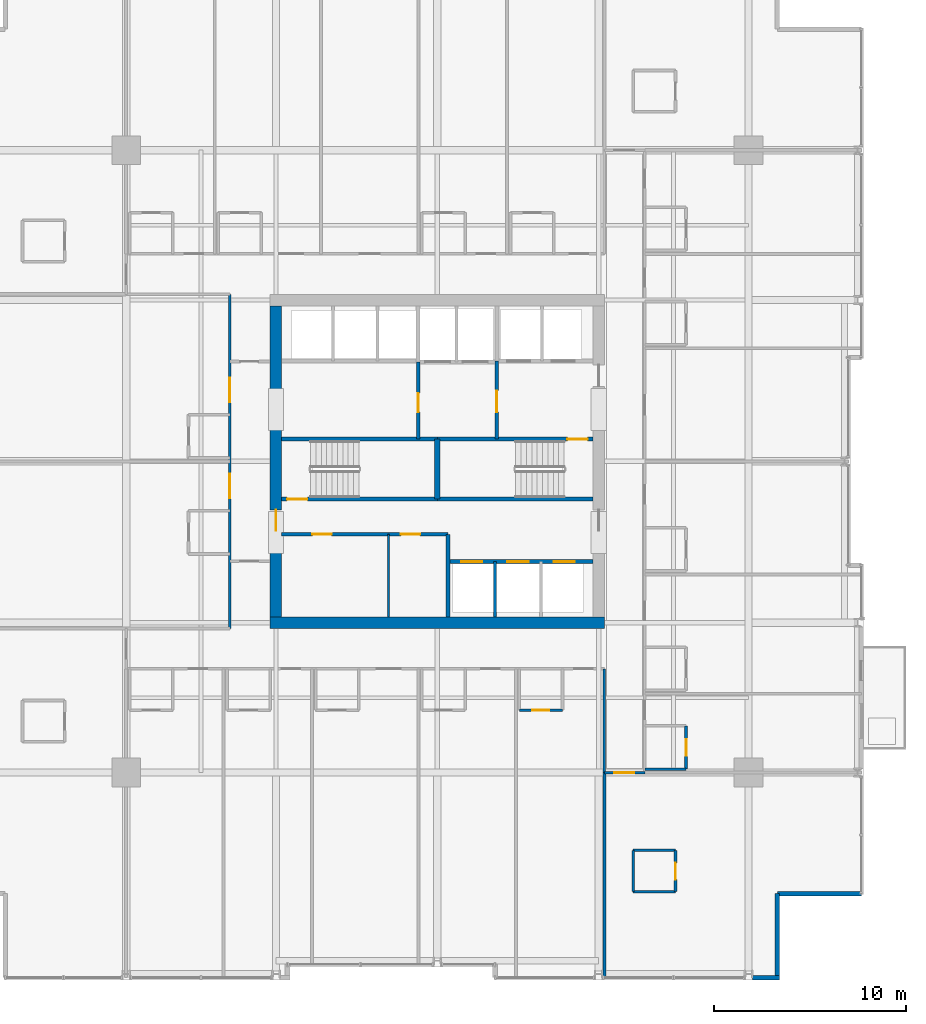
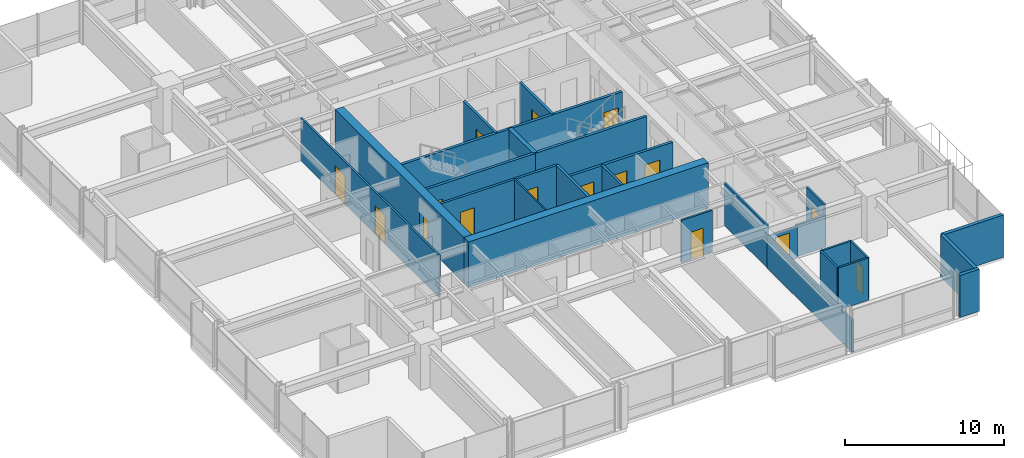
# One storey, part 29 of 34: 28 walls, 16 doors, 16 openings.
"""IFC4 building model written with IfcOpenShell, lengths in metres."""

from ifc_helpers import new_model, si_unit, direction, frame, frame_2d, origin, place, context, subcontext, project, spatial, rectangle, extrude, material, layer, layer_set, type_object, element, fill, save


model = new_model("IFC4")

# Units and contexts
model_context = context("Model", 3, precision=1e-05, world=origin(), true_north=direction((0.0, 1.0)))
body_context = subcontext(model_context, "Body", "Model", "MODEL_VIEW")
ifc_project = project(units=[si_unit("LENGTHUNIT", "METRE"), si_unit("AREAUNIT", "SQUARE_METRE"), si_unit("VOLUMEUNIT", "CUBIC_METRE"), si_unit("PLANEANGLEUNIT", "RADIAN"), si_unit("MASSUNIT", "GRAM", prefix="KILO")], contexts=[model_context])

# Site, building, storey
site_placement = place(None, origin())
site = spatial("IfcSite", under=ifc_project, at=site_placement, CompositionType="ELEMENT")
building_placement = place(site_placement, origin())
building = spatial("IfcBuilding", under=site, at=building_placement, Name="Drelvath Grand Hotel", CompositionType="ELEMENT")
storey_placement = place(building_placement, frame((0.0, 0.0, 91.800048828125)))
storey = spatial("IfcBuildingStorey", under=building, at=storey_placement, Name="L22", CompositionType="ELEMENT", Elevation=91.800048828125)

# Wall
ifc_material_1 = material(Name="Gypsum Partition Board")
ifc_layer_1 = layer(ifc_material_1, 0.10009765625)
ifc_layer_set_1 = layer_set([ifc_layer_1], Name="Gypsum Partition Board")
wall_type_1 = type_object("IfcWallType", Name="Core Closet Partition 100", PredefinedType="PARTITIONING", material=ifc_layer_set_1)
wall_1_placement = place(storey_placement, frame((-2.5400390625, 18.89990234375, 0.0), z_axis=(0.0, 0.0, 1.0), x_axis=(0.0, 1.0, 0.0)))
element("IfcWall", 1, at=wall_1_placement, inside=storey, type_object=wall_type_1, Name="L22 Reclaimed Core Split Wall", PredefinedType="PARTITIONING", context=body_context, shape_type="SweptSolid", body=[
    extrude(rectangle(XDim=4.300048828125, YDim=0.10009765625, at=frame_2d((2.14990234375, 0.0))), origin(), (0.0, 0.0, 1.0), 3.239990234375),
])

# Wall, openings, doors
ifc_material_2 = material(Name="Concrete C40/50", Category="concrete")
ifc_layer_2 = layer(ifc_material_2, 0.199951171875)
ifc_layer_set_2 = layer_set([ifc_layer_2], Name="Concrete C40/50")
wall_type_2 = type_object("IfcWallType", Name="Core Hoistway Fire Wall 200", PredefinedType="SOLIDWALL", material=ifc_layer_set_2)
wall_2_placement = place(storey_placement, frame((8.10009765625, 21.780029296875, 0.0), z_axis=(0.0, 0.0, 1.0), x_axis=(-1.0, 0.0, 0.0)))
wall_2 = element("IfcWall", 2, at=wall_2_placement, inside=storey, type_object=wall_type_2, Name="L22 Bank 2 Hoistway Wall", PredefinedType="SOLIDWALL", context=body_context, shape_type="SweptSolid", body=[
    extrude(rectangle(XDim=7.550048828125, YDim=0.199951171875, at=frame_2d((3.77490234375, 0.0))), origin(), (0.0, 0.0, 1.0), 3.239990234375),
])
opening_1_placement = place(wall_2_placement, frame((5.75, 0.0, 0.0)))
opening_1 = element("IfcOpeningElement", 3, at=opening_1_placement, cuts=wall_2, Name="Opening LD-PE-4", PredefinedType="OPENING", context=body_context, shape_type="SweptSolid", body=[
    extrude(rectangle(XDim=1.10009765625, YDim=2.199951171875, at=frame_2d((0.550048828125, 1.10009765625))), frame((0.0, 0.10986328125, 0.0), z_axis=(0.0, -1.0, 0.0), x_axis=(1.0, 0.0, 0.0)), (0.0, 0.0, 1.0), 0.219970703125),
])
opening_2_placement = place(wall_2_placement, frame((3.35009765625, 0.0, 0.0)))
opening_2 = element("IfcOpeningElement", 4, at=opening_2_placement, cuts=wall_2, Name="Opening LD-PE-5", PredefinedType="OPENING", context=body_context, shape_type="SweptSolid", body=[
    extrude(rectangle(XDim=1.10009765625, YDim=2.199951171875, at=frame_2d((0.550048828125, 1.10009765625))), frame((0.0, 0.10986328125, 0.0), z_axis=(0.0, -1.0, 0.0), x_axis=(1.0, 0.0, 0.0)), (0.0, 0.0, 1.0), 0.219970703125),
])
opening_3_placement = place(wall_2_placement, frame((0.949951171875, 0.0, 0.0)))
opening_3 = element("IfcOpeningElement", 5, at=opening_3_placement, cuts=wall_2, Name="Opening LD-PE-6", PredefinedType="OPENING", context=body_context, shape_type="SweptSolid", body=[
    extrude(rectangle(XDim=1.10009765625, YDim=2.199951171875, at=frame_2d((0.550048828125, 1.10009765625))), frame((0.0, 0.10986328125, 0.0), z_axis=(0.0, -1.0, 0.0), x_axis=(1.0, 0.0, 0.0)), (0.0, 0.0, 1.0), 0.219970703125),
])
ifc_material_3 = material(Name="Stainless Steel S355", Category="steel")
door_type_1 = type_object("IfcDoorType", Name="Passenger Lift Sliding Landing Door 1100x2200", OperationType="NOTDEFINED", PredefinedType="DOOR", material=ifc_material_3)
door_1_placement = place(opening_1_placement, origin())
door_1 = element("IfcDoor", 6, at=door_1_placement, inside=storey, type_object=door_type_1, Name="L22 Lift PE-4 Landing Door", OperationType="SLIDING_TO_LEFT", OverallHeight=2.199951171875, OverallWidth=1.10009765625, PredefinedType="DOOR", context=body_context, shape_type="SweptSolid", body=[
    extrude(rectangle(XDim=1.10009765625, YDim=2.199951171875, at=frame_2d((0.550048828125, 1.10009765625))), frame((0.0, 0.02490234375, 0.0), z_axis=(0.0, -1.0, 0.0), x_axis=(1.0, 0.0, 0.0)), (0.0, 0.0, 1.0), 0.050048828125),
])
fill(opening_1, door_1)
door_2_placement = place(opening_2_placement, origin())
door_2 = element("IfcDoor", 7, at=door_2_placement, inside=storey, type_object=door_type_1, Name="L22 Lift PE-5 Landing Door", OperationType="SLIDING_TO_LEFT", OverallHeight=2.199951171875, OverallWidth=1.10009765625, PredefinedType="DOOR", context=body_context, shape_type="SweptSolid", body=[
    extrude(rectangle(XDim=1.10009765625, YDim=2.199951171875, at=frame_2d((0.550048828125, 1.10009765625))), frame((0.0, 0.02490234375, 0.0), z_axis=(0.0, -1.0, 0.0), x_axis=(1.0, 0.0, 0.0)), (0.0, 0.0, 1.0), 0.050048828125),
])
fill(opening_2, door_2)
door_3_placement = place(opening_3_placement, origin())
door_3 = element("IfcDoor", 8, at=door_3_placement, inside=storey, type_object=door_type_1, Name="L22 Lift PE-6 Landing Door", OperationType="SLIDING_TO_LEFT", OverallHeight=2.199951171875, OverallWidth=1.10009765625, PredefinedType="DOOR", context=body_context, shape_type="SweptSolid", body=[
    extrude(rectangle(XDim=1.10009765625, YDim=2.199951171875, at=frame_2d((0.550048828125, 1.10009765625))), frame((0.0, 0.02490234375, 0.0), z_axis=(0.0, -1.0, 0.0), x_axis=(1.0, 0.0, 0.0)), (0.0, 0.0, 1.0), 0.050048828125),
])
fill(opening_3, door_3)

# Wall
wall_3_placement = place(storey_placement, frame((0.550048828125, 18.89990234375, 0.0), z_axis=(0.0, 0.0, 1.0), x_axis=(0.0, 1.0, 0.0)))
element("IfcWall", 9, at=wall_3_placement, inside=storey, type_object=wall_type_2, Name="L22 Bank 2 West Wall", PredefinedType="SOLIDWALL", context=body_context, shape_type="SweptSolid", body=[
    extrude(rectangle(XDim=4.300048828125, YDim=0.199951171875, at=frame_2d((2.14990234375, 0.0))), origin(), (0.0, 0.0, 1.0), 3.239990234375),
])

# Wall, opening, door
ifc_layer_3 = layer(ifc_material_2, 0.199951171875)
ifc_layer_set_3 = layer_set([ifc_layer_3], Name="Concrete C40/50")
wall_type_3 = type_object("IfcWallType", Name="Core Shaft Fire Wall 200", PredefinedType="SOLIDWALL", material=ifc_layer_set_3)
wall_4_placement = place(storey_placement, frame((-8.10009765625, 25.0400390625, 0.0), z_axis=(0.0, 0.0, 1.0), x_axis=(1.0, 0.0, 0.0)))
wall_4 = element("IfcWall", 10, at=wall_4_placement, inside=storey, type_object=wall_type_3, Name="L22 Stair ST-1 South Wall", PredefinedType="SOLIDWALL", context=body_context, shape_type="SweptSolid", body=[
    extrude(rectangle(XDim=8.10009765625, YDim=0.199951171875, at=frame_2d((4.050048828125, 0.0))), origin(), (0.0, 0.0, 1.0), 3.239990234375),
])
opening_4_placement = place(wall_4_placement, frame((0.280029296875, 0.0, 0.0)))
opening_4 = element("IfcOpeningElement", 11, at=opening_4_placement, cuts=wall_4, Name="Opening D-T2G1-001", PredefinedType="OPENING", context=body_context, shape_type="SweptSolid", body=[
    extrude(rectangle(XDim=1.050048828125, YDim=2.10009765625, at=frame_2d((0.52490234375, 1.050048828125))), frame((0.0, 0.10986328125, 0.0), z_axis=(0.0, -1.0, 0.0), x_axis=(1.0, 0.0, 0.0)), (0.0, 0.0, 1.0), 0.219970703125),
])
ifc_material_4 = material(Name="Painted Steel S275", Category="steel")
door_type_2 = type_object("IfcDoorType", Name="Tower Stairwell Fire Door 1050x2100", OperationType="NOTDEFINED", PredefinedType="DOOR", material=ifc_material_4)
door_4_placement = place(opening_4_placement, origin())
door_4 = element("IfcDoor", 12, at=door_4_placement, inside=storey, type_object=door_type_2, Name="L22 Exit Stair ST-1 Door", OperationType="SINGLE_SWING_LEFT", OverallHeight=2.10009765625, OverallWidth=1.050048828125, PredefinedType="DOOR", context=body_context, shape_type="SweptSolid", body=[
    extrude(rectangle(XDim=1.050048828125, YDim=2.10009765625, at=frame_2d((0.52490234375, 1.050048828125))), frame((0.0, 0.02490234375, 0.0), z_axis=(0.0, -1.0, 0.0), x_axis=(1.0, 0.0, 0.0)), (0.0, 0.0, 1.0), 0.050048828125),
])
fill(opening_4, door_4)

# Walls
for number, where, z_axis, x_axis, name in (
    (13, (-8.10009765625, 28.159912109375, 0.0), (0.0, 0.0, 1.0), (1.0, 0.0, 0.0), "L22 Stair ST-1 North Wall"),
    (14, (0.0, 25.0400390625, 0.0), (0.0, 0.0, 1.0), (1.0, 0.0, 0.0), "L22 Stair ST-2 South Wall"),
):
    element("IfcWall", number, at=place(storey_placement, frame(where, z_axis=z_axis, x_axis=x_axis)), inside=storey, type_object=wall_type_3, Name=name, PredefinedType="SOLIDWALL", context=body_context, shape_type="SweptSolid", body=[
        extrude(rectangle(XDim=8.10009765625, YDim=0.199951171875, at=frame_2d((4.050048828125, 0.0))), origin(), (0.0, 0.0, 1.0), 3.239990234375),
    ])

# Wall, opening, door
wall_5_placement = place(storey_placement, frame((8.10009765625, 28.159912109375, 0.0), z_axis=(0.0, 0.0, 1.0), x_axis=(-1.0, 0.0, 0.0)))
wall_5 = element("IfcWall", 15, at=wall_5_placement, inside=storey, type_object=wall_type_3, Name="L22 Stair ST-2 North Wall", PredefinedType="SOLIDWALL", context=body_context, shape_type="SweptSolid", body=[
    extrude(rectangle(XDim=8.10009765625, YDim=0.199951171875, at=frame_2d((4.050048828125, 0.0))), origin(), (0.0, 0.0, 1.0), 3.239990234375),
])
opening_5_placement = place(wall_5_placement, frame((0.280029296875, 0.0, 0.0)))
opening_5 = element("IfcOpeningElement", 16, at=opening_5_placement, cuts=wall_5, Name="Opening D-T2G1-002", PredefinedType="OPENING", context=body_context, shape_type="SweptSolid", body=[
    extrude(rectangle(XDim=1.050048828125, YDim=2.10009765625, at=frame_2d((0.52490234375, 1.050048828125))), frame((0.0, 0.10986328125, 0.0), z_axis=(0.0, -1.0, 0.0), x_axis=(1.0, 0.0, 0.0)), (0.0, 0.0, 1.0), 0.219970703125),
])
door_5_placement = place(opening_5_placement, origin())
door_5 = element("IfcDoor", 17, at=door_5_placement, inside=storey, type_object=door_type_2, Name="L22 Exit Stair ST-2 Door", OperationType="SINGLE_SWING_LEFT", OverallHeight=2.10009765625, OverallWidth=1.050048828125, PredefinedType="DOOR", context=body_context, shape_type="SweptSolid", body=[
    extrude(rectangle(XDim=1.050048828125, YDim=2.10009765625, at=frame_2d((0.52490234375, 1.050048828125))), frame((0.0, 0.02490234375, 0.0), z_axis=(0.0, -1.0, 0.0), x_axis=(1.0, 0.0, 0.0)), (0.0, 0.0, 1.0), 0.050048828125),
])
fill(opening_5, door_5)

# Walls
ifc_layer_4 = layer(ifc_material_2, 0.300048828125)
ifc_layer_set_4 = layer_set([ifc_layer_4], Name="Concrete C40/50")
wall_type_4 = type_object("IfcWallType", Name="Core Shaft Fire Wall 300", PredefinedType="SOLIDWALL", material=ifc_layer_set_4)
wall_6_placement = place(storey_placement, frame((0.0, 25.0400390625, 0.0), z_axis=(0.0, 0.0, 1.0), x_axis=(0.0, 1.0, 0.0)))
element("IfcWall", 18, at=wall_6_placement, inside=storey, type_object=wall_type_4, Name="L22 Core Stair Divider Wall", PredefinedType="SOLIDWALL", context=body_context, shape_type="SweptSolid", body=[
    extrude(rectangle(XDim=3.119873046875, YDim=0.300048828125, at=frame_2d((1.56005859375, 0.0))), origin(), (0.0, 0.0, 1.0), 3.239990234375),
])
ifc_material_5 = material(Name="Gypsum Fireboard Partition")
ifc_layer_5 = layer(ifc_material_5, 0.1650390625)
ifc_layer_set_5 = layer_set([ifc_layer_5], Name="Gypsum Fireboard Partition")
wall_type_5 = type_object("IfcWallType", Name="Core Shaft Partition 165", PredefinedType="PARTITIONING", material=ifc_layer_set_5)
wall_7_placement = place(storey_placement, frame((3.0, 18.89990234375, 0.0), z_axis=(0.0, 0.0, 1.0), x_axis=(0.0, 1.0, 0.0)))
element("IfcWall", 19, at=wall_7_placement, inside=storey, type_object=wall_type_5, Name="L22 Lift PE-4/5 Divider", PredefinedType="PARTITIONING", context=body_context, shape_type="SweptSolid", body=[
    extrude(rectangle(XDim=2.880126953125, YDim=0.1650390625, at=frame_2d((1.43994140625, 0.0))), origin(), (0.0, 0.0, 1.0), 3.239990234375),
])
ifc_layer_6 = layer(ifc_material_5, 0.135009765625)
ifc_layer_set_6 = layer_set([ifc_layer_6], Name="Gypsum Fireboard Partition")
wall_type_6 = type_object("IfcWallType", Name="Corridor Fire Barrier Wall 135", PredefinedType="PARTITIONING", material=ifc_layer_set_6)
wall_8_placement = place(storey_placement, frame((8.699951171875, 10.800048828125, 0.0), z_axis=(0.0, 0.0, 1.0), x_axis=(0.0, 1.0, 0.0)))
element("IfcWall", 20, at=wall_8_placement, inside=storey, type_object=wall_type_6, Name="L22 East Spine South Inner Wall", PredefinedType="PARTITIONING", context=body_context, shape_type="SweptSolid", body=[
    extrude(rectangle(XDim=5.39990234375, YDim=0.135009765625, at=frame_2d((2.699951171875, 0.0))), origin(), (0.0, 0.0, 1.0), 3.239990234375),
])

# Wall, openings, doors
wall_9_placement = place(storey_placement, frame((-10.800048828125, 18.300048828125, 0.0), z_axis=(0.0, 0.0, 1.0), x_axis=(0.0, 1.0, 0.0)))
wall_9 = element("IfcWall", 21, at=wall_9_placement, inside=storey, type_object=wall_type_6, Name="L22 West Spine Wall", PredefinedType="PARTITIONING", context=body_context, shape_type="SweptSolid", body=[
    extrude(rectangle(XDim=17.39990234375, YDim=0.135009765625, at=frame_2d((8.699951171875, 0.0))), origin(), (0.0, 0.0, 1.0), 3.239990234375),
])
opening_6_placement = place(wall_9_placement, frame((6.784912109375, 0.0, 0.0)))
opening_6 = element("IfcOpeningElement", 22, at=opening_6_placement, cuts=wall_9, Name="Opening D-T2G1-058", PredefinedType="OPENING", context=body_context, shape_type="SweptSolid", body=[
    extrude(rectangle(XDim=1.260009765625, YDim=2.199951171875, at=frame_2d((0.6298828125, 1.10009765625))), frame((0.0, 0.077392578125, 0.0), z_axis=(0.0, -1.0, 0.0), x_axis=(1.0, 0.0, 0.0)), (0.0, 0.0, 1.0), 0.155029296875),
])
opening_7_placement = place(wall_9_placement, frame((11.784912109375, 0.0, 0.0)))
opening_7 = element("IfcOpeningElement", 23, at=opening_7_placement, cuts=wall_9, Name="Opening D-T2G1-060", PredefinedType="OPENING", context=body_context, shape_type="SweptSolid", body=[
    extrude(rectangle(XDim=1.260009765625, YDim=2.199951171875, at=frame_2d((0.6298828125, 1.10009765625))), frame((0.0, 0.077392578125, 0.0), z_axis=(0.0, -1.0, 0.0), x_axis=(1.0, 0.0, 0.0)), (0.0, 0.0, 1.0), 0.155029296875),
])
ifc_material_6 = material(Name="Hardwood Walnut Timber", Category="wood")
door_type_3 = type_object("IfcDoorType", Name="Suite Entrance Fire Door 1260x2200", OperationType="NOTDEFINED", PredefinedType="DOOR", material=ifc_material_6)
door_6_placement = place(opening_6_placement, origin())
door_6 = element("IfcDoor", 24, at=door_6_placement, inside=storey, type_object=door_type_3, Name="L22 Corner Suite Entry Door", OperationType="SINGLE_SWING_LEFT", OverallHeight=2.199951171875, OverallWidth=1.260009765625, PredefinedType="DOOR", context=body_context, shape_type="SweptSolid", body=[
    extrude(rectangle(XDim=1.260009765625, YDim=2.199951171875, at=frame_2d((0.6298828125, 1.10009765625))), frame((0.0, 0.02490234375, 0.0), z_axis=(0.0, -1.0, 0.0), x_axis=(1.0, 0.0, 0.0)), (0.0, 0.0, 1.0), 0.050048828125),
])
fill(opening_6, door_6)
door_7_placement = place(opening_7_placement, origin())
door_7 = element("IfcDoor", 25, at=door_7_placement, inside=storey, type_object=door_type_3, Name="L22 Corner Suite Entry Door", OperationType="SINGLE_SWING_LEFT", OverallHeight=2.199951171875, OverallWidth=1.260009765625, PredefinedType="DOOR", context=body_context, shape_type="SweptSolid", body=[
    extrude(rectangle(XDim=1.260009765625, YDim=2.199951171875, at=frame_2d((0.6298828125, 1.10009765625))), frame((0.0, 0.02490234375, 0.0), z_axis=(0.0, -1.0, 0.0), x_axis=(1.0, 0.0, 0.0)), (0.0, 0.0, 1.0), 0.050048828125),
])
fill(opening_7, door_7)

# Wall, opening, door
wall_10_placement = place(storey_placement, frame((8.699951171875, 10.800048828125, 0.0), z_axis=(0.0, 0.0, 1.0), x_axis=(1.0, 0.0, 0.0)))
wall_10 = element("IfcWall", 26, at=wall_10_placement, inside=storey, type_object=wall_type_6, Name="L22 East Spine South End", PredefinedType="PARTITIONING", context=body_context, shape_type="SweptSolid", body=[
    extrude(rectangle(XDim=2.10009765625, YDim=0.135009765625, at=frame_2d((1.050048828125, 0.0))), origin(), (0.0, 0.0, 1.0), 2.45166015625),
])
opening_8_placement = place(wall_10_placement, frame((0.52001953125, 0.0, 0.0)))
opening_8 = element("IfcOpeningElement", 27, at=opening_8_placement, cuts=wall_10, Name="Opening D-T2G1-024", PredefinedType="OPENING", context=body_context, shape_type="SweptSolid", body=[
    extrude(rectangle(XDim=1.02001953125, YDim=2.14990234375, at=frame_2d((0.510009765625, 1.074951171875))), frame((0.0, 0.077392578125, 0.0), z_axis=(0.0, -1.0, 0.0), x_axis=(1.0, 0.0, 0.0)), (0.0, 0.0, 1.0), 0.155029296875),
])
door_type_4 = type_object("IfcDoorType", Name="Amenity Meeting Fire Door 1020x2150", OperationType="NOTDEFINED", PredefinedType="DOOR", material=ifc_material_6)
door_8_placement = place(opening_8_placement, origin())
door_8 = element("IfcDoor", 28, at=door_8_placement, inside=storey, type_object=door_type_4, Name="L22 Corner Suite Entry Door", OperationType="SINGLE_SWING_LEFT", OverallHeight=2.14990234375, OverallWidth=1.02001953125, PredefinedType="DOOR", context=body_context, shape_type="SweptSolid", body=[
    extrude(rectangle(XDim=1.02001953125, YDim=2.14990234375, at=frame_2d((0.510009765625, 1.074951171875))), frame((0.0, 0.02490234375, 0.0), z_axis=(0.0, -1.0, 0.0), x_axis=(1.0, 0.0, 0.0)), (0.0, 0.0, 1.0), 0.050048828125),
])
fill(opening_8, door_8)

# Walls
ifc_material_7 = material(Name="Moisture-Resistant Gypsum Board")
ifc_layer_7 = layer(ifc_material_7, 0.139892578125)
ifc_layer_set_7 = layer_set([ifc_layer_7], Name="Moisture-Resistant Gypsum Board")
wall_type_7 = type_object("IfcWallType", Name="En-Suite Plumbing Wall 140", PredefinedType="PLUMBINGWALL", material=ifc_layer_set_7)
for number, where, z_axis, x_axis, name in (
    (29, (10.199951171875, 4.60009765625, 0.0), (0.0, 0.0, 1.0), (1.0, 0.0, 0.0), "L22 Corner En-Suite South"),
    (30, (10.199951171875, 6.75, 0.0), (0.0, 0.0, 1.0), (1.0, 0.0, 0.0), "L22 Corner En-Suite North"),
):
    element("IfcWall", number, at=place(storey_placement, frame(where, z_axis=z_axis, x_axis=x_axis)), inside=storey, type_object=wall_type_7, Name=name, PredefinedType="PLUMBINGWALL", context=body_context, shape_type="SweptSolid", body=[
        extrude(rectangle(XDim=2.199951171875, YDim=0.139892578125, at=frame_2d((1.10009765625, 0.0))), origin(), (0.0, 0.0, 1.0), 3.239990234375),
    ])
wall_11_placement = place(storey_placement, frame((10.199951171875, 4.60009765625, 0.0), z_axis=(0.0, 0.0, 1.0), x_axis=(0.0, 1.0, 0.0)))
element("IfcWall", 31, at=wall_11_placement, inside=storey, type_object=wall_type_7, Name="L22 Corner En-Suite West", PredefinedType="PLUMBINGWALL", context=body_context, shape_type="SweptSolid", body=[
    extrude(rectangle(XDim=2.14990234375, YDim=0.139892578125, at=frame_2d((1.074951171875, 0.0))), origin(), (0.0, 0.0, 1.0), 3.239990234375),
])

# Wall, opening, door
wall_12_placement = place(storey_placement, frame((12.39990234375, 4.60009765625, 0.0), z_axis=(0.0, 0.0, 1.0), x_axis=(0.0, 1.0, 0.0)))
wall_12 = element("IfcWall", 32, at=wall_12_placement, inside=storey, type_object=wall_type_7, Name="L22 Corner En-Suite East", PredefinedType="PLUMBINGWALL", context=body_context, shape_type="SweptSolid", body=[
    extrude(rectangle(XDim=2.14990234375, YDim=0.139892578125, at=frame_2d((1.074951171875, 0.0))), origin(), (0.0, 0.0, 1.0), 3.239990234375),
])
opening_9_placement = place(wall_12_placement, frame((0.6201171875, 0.0, 0.0)))
opening_9 = element("IfcOpeningElement", 33, at=opening_9_placement, cuts=wall_12, Name="Opening D-T2G1-023", PredefinedType="OPENING", context=body_context, shape_type="SweptSolid", body=[
    extrude(rectangle(XDim=0.8798828125, YDim=2.10009765625, at=frame_2d((0.43994140625, 1.050048828125))), frame((0.0, 0.079833984375, 0.0), z_axis=(0.0, -1.0, 0.0), x_axis=(1.0, 0.0, 0.0)), (0.0, 0.0, 1.0), 0.159912109375),
])
door_type_5 = type_object("IfcDoorType", Name="En-Suite Bathroom Door 880x2100", OperationType="NOTDEFINED", PredefinedType="DOOR", material=ifc_material_6)
door_9_placement = place(opening_9_placement, origin())
door_9 = element("IfcDoor", 34, at=door_9_placement, inside=storey, type_object=door_type_5, Name="L22 Corner En-Suite Door", OperationType="SINGLE_SWING_RIGHT", OverallHeight=2.10009765625, OverallWidth=0.8798828125, PredefinedType="DOOR", context=body_context, shape_type="SweptSolid", body=[
    extrude(rectangle(XDim=0.8798828125, YDim=2.10009765625, at=frame_2d((0.43994140625, 1.050048828125))), frame((0.0, 0.02490234375, 0.0), z_axis=(0.0, -1.0, 0.0), x_axis=(1.0, 0.0, 0.0)), (0.0, 0.0, 1.0), 0.050048828125),
])
fill(opening_9, door_9)

wall_13_placement = place(storey_placement, frame((4.268798828125, 14.050048828125, 0.0), z_axis=(0.0, 0.0, 1.0), x_axis=(1.0, 0.0, 0.0)))
wall_13 = element("IfcWall", 35, at=wall_13_placement, inside=storey, type_object=wall_type_7, Name="L22 En-Suite Front Wall", PredefinedType="PLUMBINGWALL", context=body_context, shape_type="SweptSolid", body=[
    extrude(rectangle(XDim=2.25, YDim=0.139892578125, at=frame_2d((1.125, 0.0))), origin(), (0.0, 0.0, 1.0), 3.239990234375),
])
opening_10_placement = place(wall_13_placement, frame((0.68505859375, 0.0, 0.0)))
opening_10 = element("IfcOpeningElement", 36, at=opening_10_placement, cuts=wall_13, Name="Opening D-T2G1-035", PredefinedType="OPENING", context=body_context, shape_type="SweptSolid", body=[
    extrude(rectangle(XDim=0.8798828125, YDim=2.10009765625, at=frame_2d((0.43994140625, 1.050048828125))), frame((0.0, 0.079833984375, 0.0), z_axis=(0.0, -1.0, 0.0), x_axis=(1.0, 0.0, 0.0)), (0.0, 0.0, 1.0), 0.159912109375),
])
door_10_placement = place(opening_10_placement, origin())
door_10 = element("IfcDoor", 37, at=door_10_placement, inside=storey, type_object=door_type_5, Name="L22 En-Suite Bathroom Door", OperationType="SINGLE_SWING_RIGHT", OverallHeight=2.10009765625, OverallWidth=0.8798828125, PredefinedType="DOOR", context=body_context, shape_type="SweptSolid", body=[
    extrude(rectangle(XDim=0.8798828125, YDim=2.10009765625, at=frame_2d((0.43994140625, 1.050048828125))), frame((0.0, 0.02490234375, 0.0), z_axis=(0.0, -1.0, 0.0), x_axis=(1.0, 0.0, 0.0)), (0.0, 0.0, 1.0), 0.050048828125),
])
fill(opening_10, door_10)

# Wall
wall_14_placement = place(storey_placement, frame((10.800048828125, 10.97998046875, 0.0), z_axis=(0.0, 0.0, 1.0), x_axis=(1.0, 0.0, 0.0)))
element("IfcWall", 38, at=wall_14_placement, inside=storey, type_object=wall_type_7, Name="L22 En-Suite Left Wall", PredefinedType="PLUMBINGWALL", context=body_context, shape_type="SweptSolid", body=[
    extrude(rectangle(XDim=2.14990234375, YDim=0.139892578125, at=frame_2d((1.074951171875, 0.0))), origin(), (0.0, 0.0, 1.0), 2.45166015625),
])

# Wall, opening, door
wall_15_placement = place(storey_placement, frame((12.949951171875, 10.97998046875, 0.0), z_axis=(0.0, 0.0, 1.0), x_axis=(0.0, 1.0, 0.0)))
wall_15 = element("IfcWall", 39, at=wall_15_placement, inside=storey, type_object=wall_type_7, Name="L22 En-Suite Front Wall", PredefinedType="PLUMBINGWALL", context=body_context, shape_type="SweptSolid", body=[
    extrude(rectangle(XDim=2.25, YDim=0.139892578125, at=frame_2d((1.125, 0.0))), origin(), (0.0, 0.0, 1.0), 3.239990234375),
])
opening_11_placement = place(wall_15_placement, frame((0.68505859375, 0.0, 0.0)))
opening_11 = element("IfcOpeningElement", 40, at=opening_11_placement, cuts=wall_15, Name="Opening D-T2G1-046", PredefinedType="OPENING", context=body_context, shape_type="SweptSolid", body=[
    extrude(rectangle(XDim=0.8798828125, YDim=2.10009765625, at=frame_2d((0.43994140625, 1.050048828125))), frame((0.0, 0.079833984375, 0.0), z_axis=(0.0, -1.0, 0.0), x_axis=(1.0, 0.0, 0.0)), (0.0, 0.0, 1.0), 0.159912109375),
])
door_11_placement = place(opening_11_placement, origin())
door_11 = element("IfcDoor", 41, at=door_11_placement, inside=storey, type_object=door_type_5, Name="L22 En-Suite Bathroom Door", OperationType="SINGLE_SWING_LEFT", OverallHeight=2.10009765625, OverallWidth=0.8798828125, PredefinedType="DOOR", context=body_context, shape_type="SweptSolid", body=[
    extrude(rectangle(XDim=0.8798828125, YDim=2.10009765625, at=frame_2d((0.43994140625, 1.050048828125))), frame((0.0, 0.02490234375, 0.0), z_axis=(0.0, -1.0, 0.0), x_axis=(1.0, 0.0, 0.0)), (0.0, 0.0, 1.0), 0.050048828125),
])
fill(opening_11, door_11)

ifc_layer_8 = layer(ifc_material_5, 0.179931640625)
ifc_layer_set_8 = layer_set([ifc_layer_8], Name="Gypsum Fireboard Partition")
wall_type_8 = type_object("IfcWallType", Name="FSAE Smoke Lobby Fire Wall 180", PredefinedType="SOLIDWALL", material=ifc_layer_set_8)
wall_16_placement = place(storey_placement, frame((3.10009765625, 28.159912109375, 0.0), z_axis=(0.0, 0.0, 1.0), x_axis=(0.0, 1.0, 0.0)))
wall_16 = element("IfcWall", 42, at=wall_16_placement, inside=storey, type_object=wall_type_8, Name="L22 FSAE Smoke Lobby West Wall", PredefinedType="SOLIDWALL", context=body_context, shape_type="SweptSolid", body=[
    extrude(rectangle(XDim=4.06005859375, YDim=0.179931640625, at=frame_2d((2.030029296875, 0.0))), origin(), (0.0, 0.0, 1.0), 3.239990234375),
])
opening_12_placement = place(wall_16_placement, frame((1.39990234375, 0.0, 0.0)))
opening_12 = element("IfcOpeningElement", 43, at=opening_12_placement, cuts=wall_16, Name="Opening D-T2G1-005", PredefinedType="OPENING", context=body_context, shape_type="SweptSolid", body=[
    extrude(rectangle(XDim=1.1201171875, YDim=2.10009765625, at=frame_2d((0.56005859375, 1.050048828125))), frame((0.0, 0.099853515625, 0.0), z_axis=(0.0, -1.0, 0.0), x_axis=(1.0, 0.0, 0.0)), (0.0, 0.0, 1.0), 0.199951171875),
])
door_type_6 = type_object("IfcDoorType", Name="FSAE Smoke Lobby Fire Door 1120x2100", OperationType="NOTDEFINED", PredefinedType="DOOR", material=ifc_material_4)
door_12_placement = place(opening_12_placement, origin())
door_12 = element("IfcDoor", 44, at=door_12_placement, inside=storey, type_object=door_type_6, Name="L22 FSAE Lobby Service Vestibule Door", OperationType="SINGLE_SWING_RIGHT", OverallHeight=2.10009765625, OverallWidth=1.1201171875, PredefinedType="DOOR", context=body_context, shape_type="SweptSolid", body=[
    extrude(rectangle(XDim=1.1201171875, YDim=2.10009765625, at=frame_2d((0.56005859375, 1.050048828125))), frame((0.0, 0.02490234375, 0.0), z_axis=(0.0, -1.0, 0.0), x_axis=(1.0, 0.0, 0.0)), (0.0, 0.0, 1.0), 0.050048828125),
])
fill(opening_12, door_12)

wall_17_placement = place(storey_placement, frame((-1.0, 28.159912109375, 0.0), z_axis=(0.0, 0.0, 1.0), x_axis=(0.0, 1.0, 0.0)))
wall_17 = element("IfcWall", 45, at=wall_17_placement, inside=storey, type_object=wall_type_8, Name="L22 Service Vestibule West Wall", PredefinedType="SOLIDWALL", context=body_context, shape_type="SweptSolid", body=[
    extrude(rectangle(XDim=4.02001953125, YDim=0.179931640625, at=frame_2d((2.010009765625, 0.0))), origin(), (0.0, 0.0, 1.0), 3.239990234375),
])
opening_13_placement = place(wall_17_placement, frame((1.39990234375, 0.0, 0.0)))
opening_13 = element("IfcOpeningElement", 46, at=opening_13_placement, cuts=wall_17, Name="Opening D-T2G1-009", PredefinedType="OPENING", context=body_context, shape_type="SweptSolid", body=[
    extrude(rectangle(XDim=1.0, YDim=2.10009765625, at=frame_2d((0.5, 1.050048828125))), frame((0.0, 0.099853515625, 0.0), z_axis=(0.0, -1.0, 0.0), x_axis=(1.0, 0.0, 0.0)), (0.0, 0.0, 1.0), 0.199951171875),
])
door_type_7 = type_object("IfcDoorType", Name="Core Service Fire Door 1000x2100", OperationType="NOTDEFINED", PredefinedType="DOOR", material=ifc_material_4)
door_13_placement = place(opening_13_placement, origin())
door_13 = element("IfcDoor", 47, at=door_13_placement, inside=storey, type_object=door_type_7, Name="L22 Service Vestibule West Door", OperationType="SINGLE_SWING_LEFT", OverallHeight=2.10009765625, OverallWidth=1.0, PredefinedType="DOOR", context=body_context, shape_type="SweptSolid", body=[
    extrude(rectangle(XDim=1.0, YDim=2.10009765625, at=frame_2d((0.5, 1.050048828125))), frame((0.0, 0.02490234375, 0.0), z_axis=(0.0, -1.0, 0.0), x_axis=(1.0, 0.0, 0.0)), (0.0, 0.0, 1.0), 0.050048828125),
])
fill(opening_13, door_13)

# Wall, openings, doors
wall_18_placement = place(storey_placement, frame((-8.10009765625, 23.199951171875, 0.0), z_axis=(0.0, 0.0, 1.0), x_axis=(1.0, 0.0, 0.0)))
wall_18 = element("IfcWall", 48, at=wall_18_placement, inside=storey, type_object=wall_type_8, Name="L22 Reclaimed Core Room Wall", PredefinedType="SOLIDWALL", context=body_context, shape_type="SweptSolid", body=[
    extrude(rectangle(XDim=8.650146484375, YDim=0.179931640625, at=frame_2d((4.3251953125, 0.0))), origin(), (0.0, 0.0, 1.0), 3.239990234375),
])
opening_14_placement = place(wall_18_placement, frame((1.60009765625, 0.0, 0.0)))
opening_14 = element("IfcOpeningElement", 49, at=opening_14_placement, cuts=wall_18, Name="Opening D-T2G1-015", PredefinedType="OPENING", context=body_context, shape_type="SweptSolid", body=[
    extrude(rectangle(XDim=1.0, YDim=2.10009765625, at=frame_2d((0.5, 1.050048828125))), frame((0.0, 0.099853515625, 0.0), z_axis=(0.0, -1.0, 0.0), x_axis=(1.0, 0.0, 0.0)), (0.0, 0.0, 1.0), 0.199951171875),
])
opening_15_placement = place(wall_18_placement, frame((6.199951171875, 0.0, 0.0)))
opening_15 = element("IfcOpeningElement", 50, at=opening_15_placement, cuts=wall_18, Name="Opening D-T2G1-016", PredefinedType="OPENING", context=body_context, shape_type="SweptSolid", body=[
    extrude(rectangle(XDim=1.0, YDim=2.10009765625, at=frame_2d((0.5, 1.050048828125))), frame((0.0, 0.099853515625, 0.0), z_axis=(0.0, -1.0, 0.0), x_axis=(1.0, 0.0, 0.0)), (0.0, 0.0, 1.0), 0.199951171875),
])
door_14_placement = place(opening_14_placement, origin())
door_14 = element("IfcDoor", 51, at=door_14_placement, inside=storey, type_object=door_type_7, Name="L22 Housekeeping Door", OperationType="SINGLE_SWING_RIGHT", OverallHeight=2.10009765625, OverallWidth=1.0, PredefinedType="DOOR", context=body_context, shape_type="SweptSolid", body=[
    extrude(rectangle(XDim=1.0, YDim=2.10009765625, at=frame_2d((0.5, 1.050048828125))), frame((0.0, 0.02490234375, 0.0), z_axis=(0.0, -1.0, 0.0), x_axis=(1.0, 0.0, 0.0)), (0.0, 0.0, 1.0), 0.050048828125),
])
fill(opening_14, door_14)
door_15_placement = place(opening_15_placement, origin())
door_15 = element("IfcDoor", 52, at=door_15_placement, inside=storey, type_object=door_type_7, Name="L22 Butler Pantry Door", OperationType="SINGLE_SWING_LEFT", OverallHeight=2.10009765625, OverallWidth=1.0, PredefinedType="DOOR", context=body_context, shape_type="SweptSolid", body=[
    extrude(rectangle(XDim=1.0, YDim=2.10009765625, at=frame_2d((0.5, 1.050048828125))), frame((0.0, 0.02490234375, 0.0), z_axis=(0.0, -1.0, 0.0), x_axis=(1.0, 0.0, 0.0)), (0.0, 0.0, 1.0), 0.050048828125),
])
fill(opening_15, door_15)

# Wall
ifc_material_8 = material(Name="Concrete f'c 70 MPa", Category="concrete")
ifc_layer_9 = layer(ifc_material_8, 0.60009765625)
ifc_layer_set_9 = layer_set([ifc_layer_9], Name="Concrete f'c 70 MPa")
wall_type_9 = type_object("IfcWallType", Name="Lower Core RC Shear Wall 600", PredefinedType="SHEAR", material=ifc_layer_set_9)
wall_19_placement = place(storey_placement, frame((8.699951171875, 18.60009765625, 0.0), z_axis=(0.0, 0.0, 1.0), x_axis=(-1.0, 0.0, 0.0)))
element("IfcWall", 53, at=wall_19_placement, inside=storey, type_object=wall_type_9, Name="L22 Central Core Shear Wall S", PredefinedType="SHEAR", context=body_context, shape_type="SweptSolid", body=[
    extrude(rectangle(XDim=17.39990234375, YDim=0.60009765625, at=frame_2d((8.699951171875, 0.0))), origin(), (0.0, 0.0, 1.0), 3.5),
])

# Wall, opening, door
wall_20_placement = place(storey_placement, frame((-8.39990234375, 18.89990234375, 0.0), z_axis=(0.0, 0.0, 1.0), x_axis=(0.0, 1.0, 0.0)))
wall_20 = element("IfcWall", 54, at=wall_20_placement, inside=storey, type_object=wall_type_9, Name="L22 Central Core Shear Wall W", PredefinedType="SHEAR", context=body_context, shape_type="SweptSolid", body=[
    extrude(rectangle(XDim=16.2001953125, YDim=0.60009765625, at=frame_2d((8.10009765625, 0.0))), origin(), (0.0, 0.0, 1.0), 3.5),
])
opening_16_placement = place(wall_20_placement, frame((4.5, 0.0, 0.0)))
opening_16 = element("IfcOpeningElement", 55, at=opening_16_placement, cuts=wall_20, Name="Opening D-T2G1-013", PredefinedType="OPENING", context=body_context, shape_type="SweptSolid", body=[
    extrude(rectangle(XDim=1.080078125, YDim=2.0400390625, at=frame_2d((0.5400390625, 1.02001953125))), frame((0.0, 0.31005859375, 0.0), z_axis=(0.0, -1.0, 0.0), x_axis=(1.0, 0.0, 0.0)), (0.0, 0.0, 1.0), 0.6201171875),
])
door_type_8 = type_object("IfcDoorType", Name="Core Corridor Fire Door 1080x2100", OperationType="NOTDEFINED", PredefinedType="DOOR", material=ifc_material_4)
door_16_placement = place(opening_16_placement, origin())
door_16 = element("IfcDoor", 56, at=door_16_placement, inside=storey, type_object=door_type_8, Name="L22 Mid-Rise Lobby West Door", OperationType="SINGLE_SWING_RIGHT", OverallHeight=2.0400390625, OverallWidth=1.080078125, PredefinedType="DOOR", context=body_context, shape_type="SweptSolid", body=[
    extrude(rectangle(XDim=1.080078125, YDim=2.0400390625, at=frame_2d((0.5400390625, 1.02001953125))), frame((0.0, 0.02490234375, 0.0), z_axis=(0.0, -1.0, 0.0), x_axis=(1.0, 0.0, 0.0)), (0.0, 0.0, 1.0), 0.050048828125),
])
fill(opening_16, door_16)

# Walls
ifc_material_9 = material(Name="Gypsum Acoustic Partition")
ifc_layer_10 = layer(ifc_material_9, 0.1650390625)
ifc_layer_set_10 = layer_set([ifc_layer_10], Name="Gypsum Acoustic Partition")
wall_type_10 = type_object("IfcWallType", Name="Suite Demising Wall 165", PredefinedType="PARTITIONING", material=ifc_layer_set_10)
wall_21_placement = place(storey_placement, frame((8.699951171875, 0.1201171875, 0.0), z_axis=(0.0, 0.0, 1.0), x_axis=(0.0, 1.0, 0.0)))
element("IfcWall", 57, at=wall_21_placement, inside=storey, type_object=wall_type_10, Name="L22 SE Suite West Wall", PredefinedType="PARTITIONING", context=body_context, shape_type="SweptSolid", body=[
    extrude(rectangle(XDim=10.679931640625, YDim=0.1650390625, at=frame_2d((5.33984375, 0.0))), origin(), (0.0, 0.0, 1.0), 2.45166015625),
])
ifc_material_10 = material(Name="Pale-Metal Insulated Aluminium Spandrel Assembly", Category="aluminium")
ifc_layer_11 = layer(ifc_material_10, 0.239990234375)
ifc_layer_set_11 = layer_set([ifc_layer_11], Name="Pale-Metal Insulated Aluminium Spandrel Assembly")
wall_type_11 = type_object("IfcWallType", Name="Tower Insulated Metal Spandrel Closure Wall 240", PredefinedType="STANDARD", material=ifc_layer_set_11)
wall_22_placement = place(storey_placement, frame((17.820068359375, 0.1201171875, 0.0), z_axis=(0.0, 0.0, 1.0), x_axis=(-1.0, 0.0, 0.0)))
element("IfcWall", 58, at=wall_22_placement, inside=storey, type_object=wall_type_11, Name="L22 Corner Pier Spandrel Wall SE3", PredefinedType="STANDARD", context=body_context, shape_type="SweptSolid", body=[
    extrude(rectangle(XDim=1.400390625, YDim=0.239990234375, at=frame_2d((0.7001953125, 0.0))), origin(), (0.0, 0.0, 1.0), 3.239990234375),
])
wall_23_placement = place(storey_placement, frame((22.080078125, 4.5, 0.0), z_axis=(0.0, 0.0, 1.0), x_axis=(-1.0, 0.0, 0.0)))
element("IfcWall", 59, at=wall_23_placement, inside=storey, type_object=wall_type_11, Name="L22 Notched Corner Return Spandrel Wall CSE1", PredefinedType="STANDARD", context=body_context, shape_type="SweptSolid", body=[
    extrude(rectangle(XDim=4.380126953125, YDim=0.239990234375, at=frame_2d((2.18994140625, 0.0))), origin(), (0.0, 0.0, 1.0), 3.239990234375),
])
wall_24_placement = place(storey_placement, frame((17.699951171875, 4.5, 0.0), z_axis=(0.0, 0.0, 1.0), x_axis=(0.0, -1.0, 0.0)))
element("IfcWall", 60, at=wall_24_placement, inside=storey, type_object=wall_type_11, Name="L22 Notched Corner Return Spandrel Wall CSE2", PredefinedType="STANDARD", context=body_context, shape_type="SweptSolid", body=[
    extrude(rectangle(XDim=4.260009765625, YDim=0.239990234375, at=frame_2d((2.1298828125, 0.0))), origin(), (0.0, 0.0, 1.0), 3.239990234375),
])

save(model, "model.ifc")
